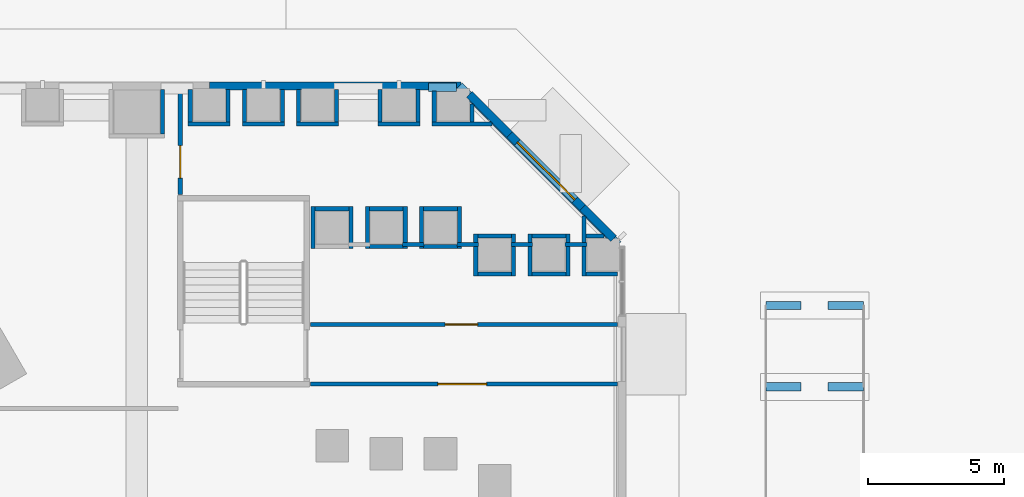
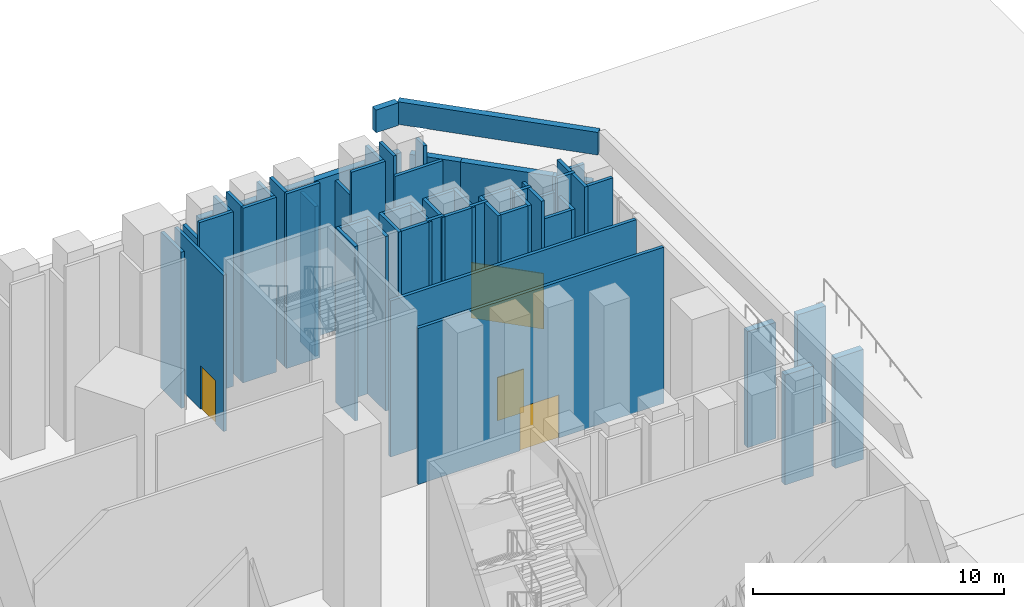
# One storey, part 29 of 51: 55 walls, 4 doors, 4 openings, 1 element without a shape of its own.
"""IFC4 building model written with IfcOpenShell, lengths in metres."""

from ifc_helpers import new_model, si_unit, direction, frame, frame_2d, origin, place, context, subcontext, project, spatial, rectangle, extrude, material, layer, layer_set, type_object, element, fill, aggregate, save


model = new_model("IFC4")

# Units and contexts
model_context = context("Model", 3, precision=1e-05, world=origin(), true_north=direction((0.0, 1.0)))
body_context = subcontext(model_context, "Body", "Model", "MODEL_VIEW")
ifc_project = project(units=[si_unit("LENGTHUNIT", "METRE"), si_unit("AREAUNIT", "SQUARE_METRE"), si_unit("VOLUMEUNIT", "CUBIC_METRE"), si_unit("PLANEANGLEUNIT", "RADIAN"), si_unit("MASSUNIT", "GRAM", prefix="KILO")], contexts=[model_context])

# Site, building, storey
site_placement = place(None, origin())
site = spatial("IfcSite", under=ifc_project, at=site_placement, CompositionType="ELEMENT")
building_placement = place(site_placement, origin())
building = spatial("IfcBuilding", under=site, at=building_placement, Name="Calabash Gate Tower", CompositionType="ELEMENT")
storey_placement = place(building_placement, origin())
storey = spatial("IfcBuildingStorey", under=building, at=storey_placement, Name="L00", CompositionType="ELEMENT", Elevation=0.0)

# Wall, opening, door
ifc_material_1 = material(Name="Gypsum board on steel studs, mineral wool", Category="steel")
ifc_layer_1 = layer(ifc_material_1, 0.14990234375)
ifc_layer_set_1 = layer_set([ifc_layer_1], Name="Partition 150 gypsum board")
wall_type_1 = type_object("IfcWallType", Name="Partition 150 gypsum board", PredefinedType="PARTITIONING", material=ifc_layer_set_1)
wall_1_placement = place(storey_placement, frame((38.409912109375, 13.8994140625, 0.0), z_axis=(0.0, 0.0, 1.0), x_axis=(1.0, 0.0, 0.0)))
wall_1 = element("IfcWall", 1, at=wall_1_placement, inside=storey, type_object=wall_type_1, Name="Partition", PredefinedType="PARTITIONING", context=body_context, shape_type="SweptSolid", body=[
    extrude(rectangle(XDim=11.31005859375, YDim=0.15087890625, at=frame_2d((5.655029296875, 0.0))), origin(), (0.0, 0.0, 1.0), 7.60009765625),
])
opening_1_placement = place(wall_1_placement, frame((4.68994140625, 0.0, 0.0)))
opening_1 = element("IfcOpeningElement", 2, at=opening_1_placement, cuts=wall_1, Name="Opening L00-084", PredefinedType="OPENING", context=body_context, shape_type="SweptSolid", body=[
    extrude(rectangle(XDim=1.800048828125, YDim=2.10009765625, at=frame_2d((0.89990234375, 1.050048828125))), frame((0.0, 0.08544921875, 0.0), z_axis=(0.0, -1.0, 0.0), x_axis=(1.0, 0.0, 0.0)), (0.0, 0.0, 1.0), 0.1708984375),
])
ifc_material_2 = material(Name="Steel fire door set with fire-resisting glazing", Category="steel")
door_type_1 = type_object("IfcDoorType", Name="Double fire door D17 1800x2100 FD60", OperationType="DOUBLE_DOOR_SINGLE_SWING", PredefinedType="DOOR", material=ifc_material_2)
door_1_placement = place(opening_1_placement, origin())
door_1 = element("IfcDoor", 3, at=door_1_placement, inside=storey, type_object=door_type_1, Name="Loading Dock door", OperationType="DOUBLE_DOOR_SINGLE_SWING", OverallHeight=2.10009765625, OverallWidth=1.800048828125, PredefinedType="DOOR", context=body_context, shape_type="SweptSolid", body=[
    extrude(rectangle(XDim=1.800048828125, YDim=2.10009765625, at=frame_2d((0.89990234375, 1.050048828125))), frame((0.0, 0.02490234375, 0.0), z_axis=(0.0, -1.0, 0.0), x_axis=(1.0, 0.0, 0.0)), (0.0, 0.0, 1.0), 0.050048828125),
])
fill(opening_1, door_1)

wall_2_placement = place(storey_placement, frame((38.409912109375, 16.1005859375, 0.0), z_axis=(0.0, 0.0, 1.0), x_axis=(1.0, 0.0, 0.0)))
wall_2 = element("IfcWall", 4, at=wall_2_placement, inside=storey, type_object=wall_type_1, Name="Partition", PredefinedType="PARTITIONING", context=body_context, shape_type="SweptSolid", body=[
    extrude(rectangle(XDim=11.31005859375, YDim=0.15087890625, at=frame_2d((5.655029296875, 0.0))), origin(), (0.0, 0.0, 1.0), 7.60009765625),
])
opening_2_placement = place(wall_2_placement, frame((4.9609375, 0.0, 0.0)))
opening_2 = element("IfcOpeningElement", 5, at=opening_2_placement, cuts=wall_2, Name="Opening L00-106", PredefinedType="OPENING", context=body_context, shape_type="SweptSolid", body=[
    extrude(rectangle(XDim=1.199951171875, YDim=2.10009765625, at=frame_2d((0.60009765625, 1.050048828125))), frame((0.0, 0.08544921875, 0.0), z_axis=(0.0, -1.0, 0.0), x_axis=(1.0, 0.0, 0.0)), (0.0, 0.0, 1.0), 0.1708984375),
])
ifc_material_3 = material(Name="Steel fire door set with fire-resisting glazing", Category="steel")
door_type_2 = type_object("IfcDoorType", Name="Fire door D09 1200x2100 FD60", OperationType="NOTDEFINED", PredefinedType="DOOR", material=ifc_material_3)
door_2_placement = place(opening_2_placement, origin())
door_2 = element("IfcDoor", 6, at=door_2_placement, inside=storey, type_object=door_type_2, Name="Shop 18 door", OperationType="SINGLE_SWING_RIGHT", OverallHeight=2.10009765625, OverallWidth=1.199951171875, PredefinedType="DOOR", context=body_context, shape_type="SweptSolid", body=[
    extrude(rectangle(XDim=1.199951171875, YDim=2.10009765625, at=frame_2d((0.60009765625, 1.050048828125))), frame((0.0, 0.02490234375, 0.0), z_axis=(0.0, -1.0, 0.0), x_axis=(1.0, 0.0, 0.0)), (0.0, 0.0, 1.0), 0.050048828125),
])
fill(opening_2, door_2)

# Walls
wall_3_placement = place(storey_placement, frame((44.5, 17.89404296875, 0.0), z_axis=(0.0, 0.0, 1.0), x_axis=(0.0, 1.0, 0.0)))
element("IfcWall", 7, at=wall_3_placement, inside=storey, type_object=wall_type_1, Name="Partition", PredefinedType="PARTITIONING", context=body_context, shape_type="SweptSolid", body=[
    extrude(rectangle(XDim=1.550048828125, YDim=0.14990234375, at=frame_2d((0.77490234375, 0.0))), origin(), (0.0, 0.0, 1.0), 8.5),
])
wall_4_placement = place(storey_placement, frame((44.574951171875, 17.968994140625, 0.0), z_axis=(0.0, 0.0, 1.0), x_axis=(1.0, 0.0, 0.0)))
element("IfcWall", 8, at=wall_4_placement, inside=storey, type_object=wall_type_1, Name="Partition", PredefinedType="PARTITIONING", context=body_context, shape_type="SweptSolid", body=[
    extrude(rectangle(XDim=1.25, YDim=0.14990234375, at=frame_2d((0.625, 0.0))), origin(), (0.0, 0.0, 1.0), 8.5),
])
for number, where, z_axis, x_axis, name in (
    (9, (45.89990234375, 17.89404296875, 0.0), (0.0, 0.0, 1.0), (0.0, 1.0, 0.0), "Partition"),
    (10, (46.5, 17.89404296875, 0.0), (0.0, 0.0, 1.0), (0.0, 1.0, 0.0), "Partition"),
):
    element("IfcWall", number, at=place(storey_placement, frame(where, z_axis=z_axis, x_axis=x_axis)), inside=storey, type_object=wall_type_1, Name=name, PredefinedType="PARTITIONING", context=body_context, shape_type="SweptSolid", body=[
        extrude(rectangle(XDim=1.550048828125, YDim=0.14990234375, at=frame_2d((0.77490234375, 0.0))), origin(), (0.0, 0.0, 1.0), 8.5),
    ])
wall_5_placement = place(storey_placement, frame((46.574951171875, 17.968994140625, 0.0), z_axis=(0.0, 0.0, 1.0), x_axis=(1.0, 0.0, 0.0)))
element("IfcWall", 11, at=wall_5_placement, inside=storey, type_object=wall_type_1, Name="Partition", PredefinedType="PARTITIONING", context=body_context, shape_type="SweptSolid", body=[
    extrude(rectangle(XDim=1.25, YDim=0.14990234375, at=frame_2d((0.625, 0.0))), origin(), (0.0, 0.0, 1.0), 7.60009765625),
])
wall_6_placement = place(storey_placement, frame((47.89990234375, 17.89404296875, 0.0), z_axis=(0.0, 0.0, 1.0), x_axis=(0.0, 1.0, 0.0)))
element("IfcWall", 12, at=wall_6_placement, inside=storey, type_object=wall_type_1, Name="Partition", PredefinedType="PARTITIONING", context=body_context, shape_type="SweptSolid", body=[
    extrude(rectangle(XDim=1.550048828125, YDim=0.14990234375, at=frame_2d((0.77490234375, 0.0))), origin(), (0.0, 0.0, 1.0), 7.60009765625),
])
wall_7_placement = place(storey_placement, frame((48.5, 17.89404296875, 0.0), z_axis=(0.0, 0.0, 1.0), x_axis=(0.0, 1.0, 0.0)))
element("IfcWall", 13, at=wall_7_placement, inside=storey, type_object=wall_type_1, Name="Partition", PredefinedType="PARTITIONING", context=body_context, shape_type="SweptSolid", body=[
    extrude(rectangle(XDim=2.20166015625, YDim=0.14990234375, at=frame_2d((1.100830078125, 0.0))), origin(), (0.0, 0.0, 1.0), 8.5),
])
wall_8_placement = place(storey_placement, frame((48.574951171875, 17.968994140625, 0.0), z_axis=(0.0, 0.0, 1.0), x_axis=(1.0, 0.0, 0.0)))
element("IfcWall", 14, at=wall_8_placement, inside=storey, type_object=wall_type_1, Name="Partition", PredefinedType="PARTITIONING", context=body_context, shape_type="SweptSolid", body=[
    extrude(rectangle(XDim=1.14501953125, YDim=0.14990234375, at=frame_2d((0.572509765625, 0.0))), origin(), (0.0, 0.0, 1.0), 8.5),
])
for number, where, z_axis, x_axis, name in (
    (15, (38.5, 18.89404296875, 0.0), (0.0, 0.0, 1.0), (0.0, 1.0, 0.0), "Partition"),
    (16, (39.89990234375, 18.89404296875, 0.0), (0.0, 0.0, 1.0), (0.0, 1.0, 0.0), "Partition"),
    (17, (40.5, 18.89404296875, 0.0), (0.0, 0.0, 1.0), (0.0, 1.0, 0.0), "Partition"),
):
    element("IfcWall", number, at=place(storey_placement, frame(where, z_axis=z_axis, x_axis=x_axis)), inside=storey, type_object=wall_type_1, Name=name, PredefinedType="PARTITIONING", context=body_context, shape_type="SweptSolid", body=[
        extrude(rectangle(XDim=1.550048828125, YDim=0.14990234375, at=frame_2d((0.77490234375, 0.0))), origin(), (0.0, 0.0, 1.0), 8.5),
    ])
wall_9_placement = place(storey_placement, frame((40.574951171875, 18.968994140625, 0.0), z_axis=(0.0, 0.0, 1.0), x_axis=(1.0, 0.0, 0.0)))
element("IfcWall", 18, at=wall_9_placement, inside=storey, type_object=wall_type_1, Name="Partition", PredefinedType="PARTITIONING", context=body_context, shape_type="SweptSolid", body=[
    extrude(rectangle(XDim=1.25, YDim=0.14990234375, at=frame_2d((0.625, 0.0))), origin(), (0.0, 0.0, 1.0), 8.5),
])
for number, where, z_axis, x_axis, name in (
    (19, (41.89990234375, 18.89404296875, 0.0), (0.0, 0.0, 1.0), (0.0, 1.0, 0.0), "Partition"),
    (20, (42.5, 18.89404296875, 0.0), (0.0, 0.0, 1.0), (0.0, 1.0, 0.0), "Partition"),
):
    element("IfcWall", number, at=place(storey_placement, frame(where, z_axis=z_axis, x_axis=x_axis)), inside=storey, type_object=wall_type_1, Name=name, PredefinedType="PARTITIONING", context=body_context, shape_type="SweptSolid", body=[
        extrude(rectangle(XDim=1.550048828125, YDim=0.14990234375, at=frame_2d((0.77490234375, 0.0))), origin(), (0.0, 0.0, 1.0), 8.5),
    ])
wall_10_placement = place(storey_placement, frame((42.574951171875, 18.968994140625, 0.0), z_axis=(0.0, 0.0, 1.0), x_axis=(1.0, 0.0, 0.0)))
element("IfcWall", 21, at=wall_10_placement, inside=storey, type_object=wall_type_1, Name="Partition", PredefinedType="PARTITIONING", context=body_context, shape_type="SweptSolid", body=[
    extrude(rectangle(XDim=1.25, YDim=0.14990234375, at=frame_2d((0.625, 0.0))), origin(), (0.0, 0.0, 1.0), 8.5),
])
wall_11_placement = place(storey_placement, frame((43.89990234375, 18.89404296875, 0.0), z_axis=(0.0, 0.0, 1.0), x_axis=(0.0, 1.0, 0.0)))
element("IfcWall", 22, at=wall_11_placement, inside=storey, type_object=wall_type_1, Name="Partition", PredefinedType="PARTITIONING", context=body_context, shape_type="SweptSolid", body=[
    extrude(rectangle(XDim=1.550048828125, YDim=0.14990234375, at=frame_2d((0.77490234375, 0.0))), origin(), (0.0, 0.0, 1.0), 8.5),
])
for number, where, z_axis, x_axis, name in (
    (23, (41.800048828125, 19.050048828125, 0.0), (0.0, 0.0, 1.0), (1.0, 0.0, 0.0), "Partition"),
    (24, (43.800048828125, 19.050048828125, 0.0), (0.0, 0.0, 1.0), (1.0, 0.0, 0.0), "Partition"),
    (25, (45.800048828125, 19.050048828125, 0.0), (0.0, 0.0, 1.0), (1.0, 0.0, 0.0), "Partition"),
    (26, (47.800048828125, 19.050048828125, 0.0), (0.0, 0.0, 1.0), (1.0, 0.0, 0.0), "Partition"),
):
    element("IfcWall", number, at=place(storey_placement, frame(where, z_axis=z_axis, x_axis=x_axis)), inside=storey, type_object=wall_type_1, Name=name, PredefinedType="PARTITIONING", context=body_context, shape_type="SweptSolid", body=[
        extrude(rectangle(XDim=0.800048828125, YDim=0.14990234375, at=frame_2d((0.39990234375, 0.0))), origin(), (0.0, 0.0, 1.0), 8.5),
    ])
wall_12_placement = place(storey_placement, frame((44.574951171875, 19.368896484375, 0.0), z_axis=(0.0, 0.0, 1.0), x_axis=(1.0, 0.0, 0.0)))
element("IfcWall", 27, at=wall_12_placement, inside=storey, type_object=wall_type_1, Name="Partition", PredefinedType="PARTITIONING", context=body_context, shape_type="SweptSolid", body=[
    extrude(rectangle(XDim=1.25, YDim=0.14990234375, at=frame_2d((0.625, 0.0))), origin(), (0.0, 0.0, 1.0), 8.5),
])
wall_13_placement = place(storey_placement, frame((46.574951171875, 19.368896484375, 0.0), z_axis=(0.0, 0.0, 1.0), x_axis=(1.0, 0.0, 0.0)))
element("IfcWall", 28, at=wall_13_placement, inside=storey, type_object=wall_type_1, Name="Partition", PredefinedType="PARTITIONING", context=body_context, shape_type="SweptSolid", body=[
    extrude(rectangle(XDim=1.25, YDim=0.14990234375, at=frame_2d((0.625, 0.0))), origin(), (0.0, 0.0, 1.0), 7.60009765625),
])
wall_14_placement = place(storey_placement, frame((48.574951171875, 19.368896484375, 0.0), z_axis=(0.0, 0.0, 1.0), x_axis=(1.0, 0.0, 0.0)))
element("IfcWall", 29, at=wall_14_placement, inside=storey, type_object=wall_type_1, Name="Partition", PredefinedType="PARTITIONING", context=body_context, shape_type="SweptSolid", body=[
    extrude(rectangle(XDim=0.65185546875, YDim=0.14990234375, at=frame_2d((0.325927734375, 0.0))), origin(), (0.0, 0.0, 1.0), 8.5),
])
for number, where, z_axis, x_axis, name in (
    (30, (38.574951171875, 20.368896484375, 0.0), (0.0, 0.0, 1.0), (1.0, 0.0, 0.0), "Partition"),
    (31, (40.574951171875, 20.368896484375, 0.0), (0.0, 0.0, 1.0), (1.0, 0.0, 0.0), "Partition"),
    (32, (42.574951171875, 20.368896484375, 0.0), (0.0, 0.0, 1.0), (1.0, 0.0, 0.0), "Partition"),
):
    element("IfcWall", number, at=place(storey_placement, frame(where, z_axis=z_axis, x_axis=x_axis)), inside=storey, type_object=wall_type_1, Name=name, PredefinedType="PARTITIONING", context=body_context, shape_type="SweptSolid", body=[
        extrude(rectangle(XDim=1.25, YDim=0.14990234375, at=frame_2d((0.625, 0.0))), origin(), (0.0, 0.0, 1.0), 8.5),
    ])

# Wall, opening, door
wall_15_placement = place(storey_placement, frame((33.60009765625, 20.889892578125, 0.0), z_axis=(0.0, 0.0, 1.0), x_axis=(0.0, 1.0, 0.0)))
wall_15 = element("IfcWall", 33, at=wall_15_placement, inside=storey, type_object=wall_type_1, Name="Partition", PredefinedType="PARTITIONING", context=body_context, shape_type="SweptSolid", body=[
    extrude(rectangle(XDim=3.880126953125, YDim=0.14990234375, at=frame_2d((1.93994140625, 0.0))), origin(), (0.0, 0.0, 1.0), 7.60009765625),
])
opening_3_placement = place(wall_15_placement, frame((0.610107421875, 0.0, 0.0)))
opening_3 = element("IfcOpeningElement", 34, at=opening_3_placement, cuts=wall_15, Name="Opening L00-083", PredefinedType="OPENING", context=body_context, shape_type="SweptSolid", body=[
    extrude(rectangle(XDim=1.199951171875, YDim=2.10009765625, at=frame_2d((0.60009765625, 1.050048828125))), frame((0.0, 0.0849609375, 0.0), z_axis=(0.0, -1.0, 0.0), x_axis=(1.0, 0.0, 0.0)), (0.0, 0.0, 1.0), 0.169921875),
])
door_3_placement = place(opening_3_placement, origin())
door_3 = element("IfcDoor", 35, at=door_3_placement, inside=storey, type_object=door_type_2, Name="Refuse Store door", OperationType="SINGLE_SWING_LEFT", OverallHeight=2.10009765625, OverallWidth=1.199951171875, PredefinedType="DOOR", context=body_context, shape_type="SweptSolid", body=[
    extrude(rectangle(XDim=1.199951171875, YDim=2.10009765625, at=frame_2d((0.60009765625, 1.050048828125))), frame((0.0, 0.02490234375, 0.0), z_axis=(0.0, -1.0, 0.0), x_axis=(1.0, 0.0, 0.0)), (0.0, 0.0, 1.0), 0.050048828125),
])
fill(opening_3, door_3)

# Walls
wall_16_placement = place(storey_placement, frame((32.949951171875, 23.125, 0.0), z_axis=(0.0, 0.0, 1.0), x_axis=(0.0, 1.0, 0.0)))
element("IfcWall", 36, at=wall_16_placement, inside=storey, type_object=wall_type_1, Name="Partition", PredefinedType="PARTITIONING", context=body_context, shape_type="SweptSolid", body=[
    extrude(rectangle(XDim=1.64501953125, YDim=0.14990234375, at=frame_2d((0.822509765625, 0.0))), origin(), (0.0, 0.0, 1.0), 7.60009765625),
])
for number, where, z_axis, x_axis, name in (
    (37, (33.89404296875, 23.5, 0.0), (0.0, 0.0, 1.0), (1.0, 0.0, 0.0), "Partition"),
    (38, (35.89404296875, 23.5, 0.0), (0.0, 0.0, 1.0), (1.0, 0.0, 0.0), "Partition"),
    (39, (37.89404296875, 23.5, 0.0), (0.0, 0.0, 1.0), (1.0, 0.0, 0.0), "Partition"),
    (40, (40.89404296875, 23.5, 0.0), (0.0, 0.0, 1.0), (1.0, 0.0, 0.0), "Partition"),
):
    element("IfcWall", number, at=place(storey_placement, frame(where, z_axis=z_axis, x_axis=x_axis)), inside=storey, type_object=wall_type_1, Name=name, PredefinedType="PARTITIONING", context=body_context, shape_type="SweptSolid", body=[
        extrude(rectangle(XDim=1.550048828125, YDim=0.14990234375, at=frame_2d((0.77490234375, 0.0))), origin(), (0.0, 0.0, 1.0), 8.5),
    ])
wall_17_placement = place(storey_placement, frame((42.89404296875, 23.5, 0.0), z_axis=(0.0, 0.0, 1.0), x_axis=(1.0, 0.0, 0.0)))
element("IfcWall", 41, at=wall_17_placement, inside=storey, type_object=wall_type_1, Name="Partition", PredefinedType="PARTITIONING", context=body_context, shape_type="SweptSolid", body=[
    extrude(rectangle(XDim=2.20166015625, YDim=0.14990234375, at=frame_2d((1.100830078125, 0.0))), origin(), (0.0, 0.0, 1.0), 7.60009765625),
])
wall_18_placement = place(storey_placement, frame((33.968994140625, 23.574951171875, 0.0), z_axis=(0.0, 0.0, 1.0), x_axis=(0.0, 1.0, 0.0)))
element("IfcWall", 42, at=wall_18_placement, inside=storey, type_object=wall_type_1, Name="Partition", PredefinedType="PARTITIONING", context=body_context, shape_type="SweptSolid", body=[
    extrude(rectangle(XDim=1.195068359375, YDim=0.14990234375, at=frame_2d((0.59765625, 0.0))), origin(), (0.0, 0.0, 1.0), 7.60009765625),
])
for number, where, z_axis, x_axis, name in (
    (43, (35.368896484375, 23.574951171875, 0.0), (0.0, 0.0, 1.0), (0.0, 1.0, 0.0), "Partition"),
    (44, (35.968994140625, 23.574951171875, 0.0), (0.0, 0.0, 1.0), (0.0, 1.0, 0.0), "Partition"),
    (45, (37.368896484375, 23.574951171875, 0.0), (0.0, 0.0, 1.0), (0.0, 1.0, 0.0), "Partition"),
    (46, (37.968994140625, 23.574951171875, 0.0), (0.0, 0.0, 1.0), (0.0, 1.0, 0.0), "Partition"),
):
    element("IfcWall", number, at=place(storey_placement, frame(where, z_axis=z_axis, x_axis=x_axis)), inside=storey, type_object=wall_type_1, Name=name, PredefinedType="PARTITIONING", context=body_context, shape_type="SweptSolid", body=[
        extrude(rectangle(XDim=1.195068359375, YDim=0.14990234375, at=frame_2d((0.59765625, 0.0))), origin(), (0.0, 0.0, 1.0), 8.5),
    ])
for number, where, z_axis, x_axis, name in (
    (47, (39.368896484375, 23.574951171875, 0.0), (0.0, 0.0, 1.0), (0.0, 1.0, 0.0), "Partition"),
    (48, (40.968994140625, 23.574951171875, 0.0), (0.0, 0.0, 1.0), (0.0, 1.0, 0.0), "Partition"),
):
    element("IfcWall", number, at=place(storey_placement, frame(where, z_axis=z_axis, x_axis=x_axis)), inside=storey, type_object=wall_type_1, Name=name, PredefinedType="PARTITIONING", context=body_context, shape_type="SweptSolid", body=[
        extrude(rectangle(XDim=1.195068359375, YDim=0.14990234375, at=frame_2d((0.59765625, 0.0))), origin(), (0.0, 0.0, 1.0), 7.300048828125),
    ])
wall_19_placement = place(storey_placement, frame((42.368896484375, 23.574951171875, 0.0), z_axis=(0.0, 0.0, 1.0), x_axis=(0.0, 1.0, 0.0)))
element("IfcWall", 49, at=wall_19_placement, inside=storey, type_object=wall_type_1, Name="Partition", PredefinedType="PARTITIONING", context=body_context, shape_type="SweptSolid", body=[
    extrude(rectangle(XDim=1.195068359375, YDim=0.14990234375, at=frame_2d((0.59765625, 0.0))), origin(), (0.0, 0.0, 1.0), 8.5),
])
wall_20_placement = place(storey_placement, frame((42.968994140625, 23.574951171875, 0.0), z_axis=(0.0, 0.0, 1.0), x_axis=(0.0, 1.0, 0.0)))
element("IfcWall", 50, at=wall_20_placement, inside=storey, type_object=wall_type_1, Name="Partition", PredefinedType="PARTITIONING", context=body_context, shape_type="SweptSolid", body=[
    extrude(rectangle(XDim=1.14501953125, YDim=0.14990234375, at=frame_2d((0.572509765625, 0.0))), origin(), (0.0, 0.0, 1.0), 8.5),
])
wall_21_placement = place(storey_placement, frame((44.368896484375, 23.574951171875, 0.0), z_axis=(0.0, 0.0, 1.0), x_axis=(0.0, 1.0, 0.0)))
element("IfcWall", 51, at=wall_21_placement, inside=storey, type_object=wall_type_1, Name="Partition", PredefinedType="PARTITIONING", context=body_context, shape_type="SweptSolid", body=[
    extrude(rectangle(XDim=0.65185546875, YDim=0.14990234375, at=frame_2d((0.325927734375, 0.0))), origin(), (0.0, 0.0, 1.0), 8.5),
])
ifc_material_4 = material(Name="Terracotta brick masonry, exposed face", Category="masonry")
ifc_layer_2 = layer(ifc_material_4, 0.300048828125)
ifc_layer_set_2 = layer_set([ifc_layer_2], Name="Podium brick wall 300")
wall_type_2 = type_object("IfcWallType", Name="Podium brick wall 300", PredefinedType="SOLIDWALL", material=ifc_layer_set_2)
wall_22_placement = place(storey_placement, frame((49.587646484375, 19.27099609375, 0.0), z_axis=(0.0, 0.0, 1.0), x_axis=(-0.707106781187, 0.707106781187, 0.0)))
element("IfcWall", 52, at=wall_22_placement, inside=storey, type_object=wall_type_2, Name="Podium brick wall L00 3.0.0", PredefinedType="SOLIDWALL", context=body_context, shape_type="SweptSolid", body=[
    extrude(rectangle(XDim=1.620361328125, YDim=0.300048828125, at=frame_2d((0.81005859375, 0.0))), origin(), (0.0, 0.0, 1.0), 7.60009765625),
])
wall_23_placement = place(storey_placement, frame((45.7548828125, 23.103759765625, 0.0), z_axis=(0.0, 0.0, 1.0), x_axis=(-0.707106781187, 0.707106781187, 0.0)))
element("IfcWall", 53, at=wall_23_placement, inside=storey, type_object=wall_type_2, Name="Podium brick wall L00 3.1.0", PredefinedType="SOLIDWALL", context=body_context, shape_type="SweptSolid", body=[
    extrude(rectangle(XDim=2.0986328125, YDim=0.300048828125, at=frame_2d((1.04931640625, 0.0))), origin(), (0.0, 0.0, 1.0), 7.60009765625),
])
wall_24_placement = place(storey_placement, frame((43.949951171875, 24.89990234375, 0.0), z_axis=(0.0, 0.0, 1.0), x_axis=(-1.0, 0.0, 0.0)))
element("IfcWall", 54, at=wall_24_placement, inside=storey, type_object=wall_type_2, Name="Podium brick wall L00 4.0.0", PredefinedType="SOLIDWALL", context=body_context, shape_type="SweptSolid", body=[
    extrude(rectangle(XDim=9.27685546875, YDim=0.300048828125, at=frame_2d((4.638427734375, 0.0))), origin(), (0.0, 0.0, 1.0), 7.60009765625),
])

# Wall, opening, door
ifc_material_5 = material(Name="Aluminium framed entrance wall with insulated spandrel", Category="aluminium")
ifc_layer_3 = layer(ifc_material_5, 0.300048828125)
ifc_layer_set_3 = layer_set([ifc_layer_3], Name="Podium entrance wall 300")
wall_type_3 = type_object("IfcWallType", Name="Podium entrance wall 300", PredefinedType="ELEMENTEDWALL", material=ifc_layer_set_3)
wall_25_placement = place(storey_placement, frame((48.44189453125, 20.416748046875, 0.0), z_axis=(0.0, 0.0, 1.0), x_axis=(-0.707106781187, 0.707106781187, 0.0)))
wall_25 = element("IfcWall", 55, at=wall_25_placement, inside=storey, type_object=wall_type_3, Name="Entrance door wall L00", PredefinedType="ELEMENTEDWALL", context=body_context, shape_type="SweptSolid", body=[
    extrude(rectangle(XDim=3.800048828125, YDim=0.300048828125, at=frame_2d((1.89990234375, 0.0))), origin(), (0.0, 0.0, 1.0), 7.60009765625),
])
opening_4_placement = place(wall_25_placement, frame((0.39990234375, 0.0, 0.0)))
opening_4 = element("IfcOpeningElement", 56, at=opening_4_placement, cuts=wall_25, Name="Opening L00-016", PredefinedType="OPENING", context=body_context, shape_type="SweptSolid", body=[
    extrude(rectangle(XDim=3.0, YDim=2.699951171875, at=frame_2d((1.5, 1.35009765625))), frame((0.0, 0.159912109375, 0.0), z_axis=(0.0, -1.0, 0.0), x_axis=(1.0, 0.0, 0.0)), (0.0, 0.0, 1.0), 0.320068359375),
])
ifc_material_6 = material(Name="Anodised aluminium frame, bronze finish, impact-rated laminated clear glazing", Category="aluminium")
door_type_3 = type_object("IfcDoorType", Name="Podium door DE300 3000x2700", OperationType="DOUBLE_DOOR_SINGLE_SWING", PredefinedType="DOOR", material=ifc_material_6)
door_4_placement = place(opening_4_placement, origin())
door_4 = element("IfcDoor", 57, at=door_4_placement, inside=storey, type_object=door_type_3, Name="Entrance door L00", OperationType="DOUBLE_DOOR_SINGLE_SWING", OverallHeight=2.699951171875, OverallWidth=3.0, PredefinedType="DOOR", context=body_context, shape_type="SweptSolid", body=[
    extrude(rectangle(XDim=3.0, YDim=2.699951171875, at=frame_2d((1.5, 1.35009765625))), frame((0.0, 0.02490234375, 0.0), z_axis=(0.0, -1.0, 0.0), x_axis=(1.0, 0.0, 0.0)), (0.0, 0.0, 1.0), 0.050048828125),
])
fill(opening_4, door_4)

# Walls
ifc_material_7 = material(Name="Terracotta brick masonry, exposed face", Category="masonry")
ifc_layer_4 = layer(ifc_material_7, 0.300048828125)
ifc_layer_set_4 = layer_set([ifc_layer_4], Name="Podium parapet wall 300")
wall_type_4 = type_object("IfcWallType", Name="Podium parapet wall 300", PredefinedType="PARAPET", material=ifc_layer_set_4)
wall_26_placement = place(storey_placement, frame((49.745361328125, 19.04248046875, 9.0), z_axis=(0.0, 0.0, 1.0), x_axis=(-0.707092029666, 0.7071215324, 0.0)))
element("IfcWall", 58, at=wall_26_placement, inside=storey, type_object=wall_type_4, Name="Podium parapet L00 3.0.0", PredefinedType="PARAPET", context=body_context, shape_type="SweptSolid", body=[
    extrude(rectangle(XDim=8.275146484375, YDim=0.300048828125, at=frame_2d((4.1376953125, 0.0))), origin(), (0.0, 0.0, 1.0), 1.10009765625),
])
wall_27_placement = place(storey_placement, frame((43.7900390625, 24.85009765625, 9.0), z_axis=(0.0, 0.0, 1.0), x_axis=(-1.0, 0.0, 0.0)))
element("IfcWall", 59, at=wall_27_placement, inside=storey, type_object=wall_type_4, Name="Podium parapet L00 4.0.0", PredefinedType="PARAPET", context=body_context, shape_type="SweptSolid", body=[
    extrude(rectangle(XDim=1.0400390625, YDim=0.300048828125, at=frame_2d((0.52001953125, 0.0))), origin(), (0.0, 0.0, 1.0), 1.10009765625),
])

# Assembly, walls
assembly_placement = place(storey_placement, origin())
assembly = element("IfcElementAssembly", 60, at=assembly_placement, inside=storey, Name="Entry Ramp", ObjectType="Vehicle ramp", PredefinedType="USERDEFINED")
ifc_material_8 = material(Name="Concrete C40/50", Category="concrete")
ifc_layer_5 = layer(ifc_material_8, 0.300048828125)
ifc_layer_set_5 = layer_set([ifc_layer_5], Name="Ramp support wall 300")
wall_type_5 = type_object("IfcWallType", Name="Ramp support wall 300", PredefinedType="SOLIDWALL", material=ifc_layer_set_5)
wall_28_placement = place(storey_placement, frame((55.199951171875, 13.800048828125, -5.800048828125), z_axis=(0.0, 0.0, 1.0), x_axis=(1.0, 0.0, 0.0)))
wall_28 = element("IfcWall", 61, at=wall_28_placement, type_object=wall_type_5, Name="Entry Ramp support wall", PredefinedType="SOLIDWALL", context=body_context, shape_type="SweptSolid", body=[
    extrude(rectangle(XDim=1.300048828125, YDim=0.300048828125, at=frame_2d((0.64990234375, 0.0))), origin(), (0.0, 0.0, 1.0), 5.35009765625),
])
wall_29_placement = place(storey_placement, frame((57.5, 13.800048828125, -5.800048828125), z_axis=(0.0, 0.0, 1.0), x_axis=(1.0, 0.0, 0.0)))
wall_29 = element("IfcWall", 62, at=wall_29_placement, type_object=wall_type_5, Name="Entry Ramp support wall", PredefinedType="SOLIDWALL", context=body_context, shape_type="SweptSolid", body=[
    extrude(rectangle(XDim=1.300048828125, YDim=0.300048828125, at=frame_2d((0.64990234375, 0.0))), origin(), (0.0, 0.0, 1.0), 5.35009765625),
])
wall_30_placement = place(storey_placement, frame((55.199951171875, 16.800048828125, -5.800048828125), z_axis=(0.0, 0.0, 1.0), x_axis=(1.0, 0.0, 0.0)))
wall_30 = element("IfcWall", 63, at=wall_30_placement, type_object=wall_type_5, Name="Entry Ramp support wall", PredefinedType="SOLIDWALL", context=body_context, shape_type="SweptSolid", body=[
    extrude(rectangle(XDim=1.300048828125, YDim=0.300048828125, at=frame_2d((0.64990234375, 0.0))), origin(), (0.0, 0.0, 1.0), 5.650146484375),
])
wall_31_placement = place(storey_placement, frame((57.5, 16.800048828125, -5.800048828125), z_axis=(0.0, 0.0, 1.0), x_axis=(1.0, 0.0, 0.0)))
wall_31 = element("IfcWall", 64, at=wall_31_placement, type_object=wall_type_5, Name="Entry Ramp support wall", PredefinedType="SOLIDWALL", context=body_context, shape_type="SweptSolid", body=[
    extrude(rectangle(XDim=1.300048828125, YDim=0.300048828125, at=frame_2d((0.64990234375, 0.0))), origin(), (0.0, 0.0, 1.0), 5.650146484375),
])
aggregate(assembly, [wall_28, wall_29, wall_30, wall_31])

save(model, "model.ifc")
